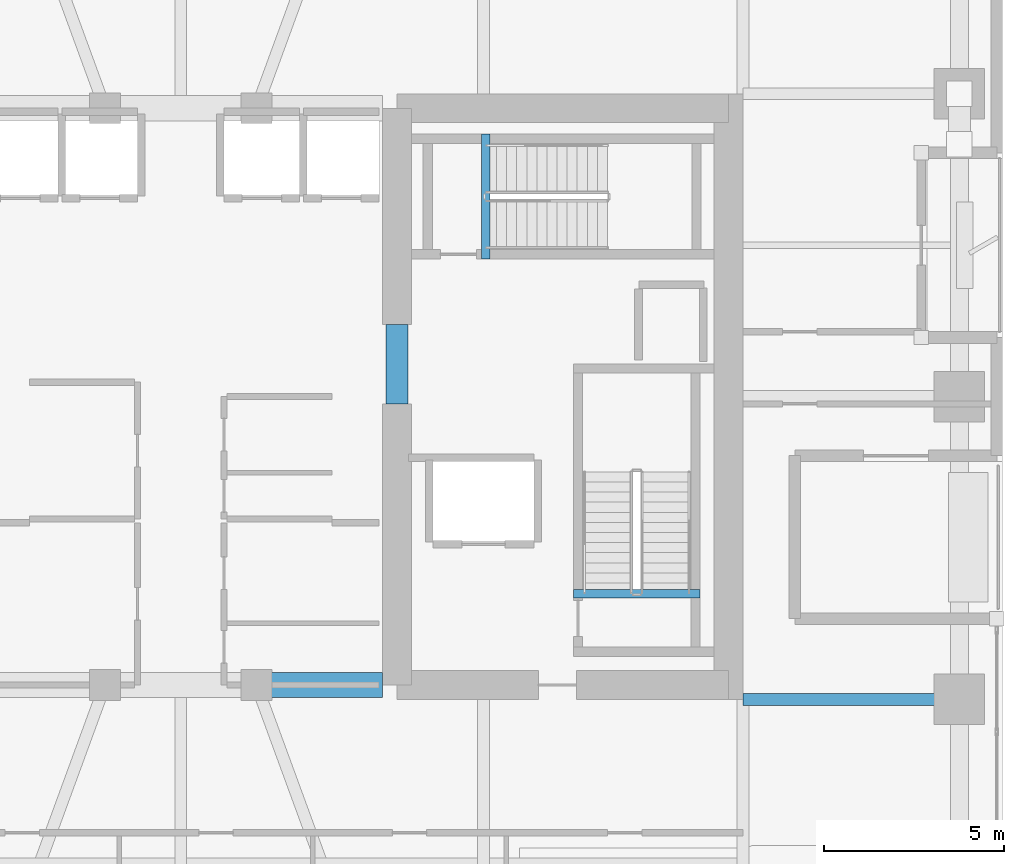
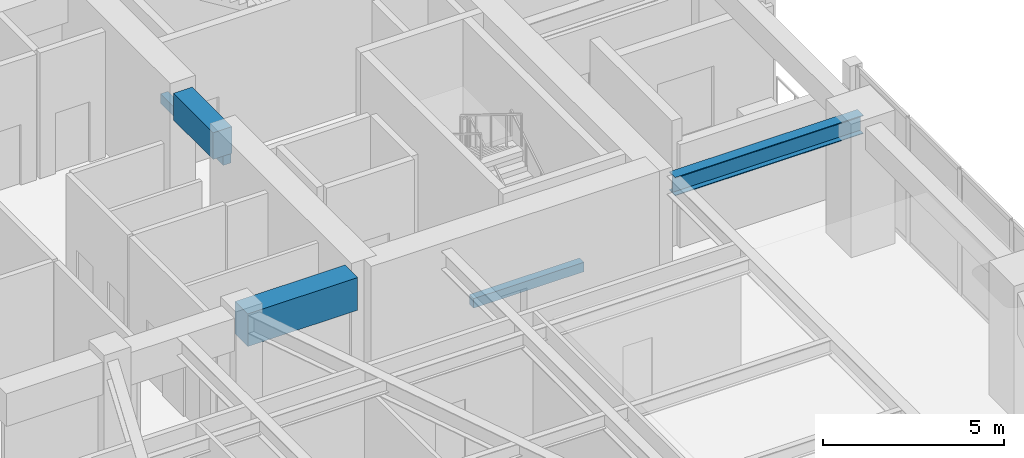
# One storey, part 5 of 20: 5 beams.
"""IFC4 building model written with IfcOpenShell, lengths in metres."""

from ifc_helpers import new_model, si_unit, direction, frame, origin, origin_2d, place, context, subcontext, project, spatial, rectangle, i_section, extrude, material, material_profile, profile_set, type_object, element, save


model = new_model("IFC4")

# Units and contexts
model_context = context("Model", 3, precision=1e-05, world=origin(), true_north=direction((0.0, 1.0)))
body_context = subcontext(model_context, "Body", "Model", "MODEL_VIEW")
ifc_project = project(units=[si_unit("LENGTHUNIT", "METRE"), si_unit("AREAUNIT", "SQUARE_METRE"), si_unit("VOLUMEUNIT", "CUBIC_METRE"), si_unit("PLANEANGLEUNIT", "RADIAN"), si_unit("MASSUNIT", "GRAM", prefix="KILO")], contexts=[model_context])

# Site, building, storey
site_placement = place(None, origin())
site = spatial("IfcSite", under=ifc_project, at=site_placement, CompositionType="ELEMENT")
building_placement = place(site_placement, origin())
building = spatial("IfcBuilding", under=site, at=building_placement, Name="Kiyonajd Concourse Tower", CompositionType="ELEMENT")
storey_placement = place(building_placement, frame((0.0, 0.0, 125.39990234375)))
storey = spatial("IfcBuildingStorey", under=building, at=storey_placement, Name="L32", CompositionType="ELEMENT", Elevation=125.39990234375)

# Beams
ifc_material_1 = material(Name="Concrete C70/85", Category="concrete")
ifc_material_profile_1 = material_profile(ifc_material_1, rectangle(XDim=0.699951171875, YDim=1.10009765625, at=origin_2d()), Name="RCBM-700x1100")
ifc_profile_set_1 = profile_set([ifc_material_profile_1], Name="Concrete C70/85")
beam_type_1 = type_object("IfcBeamType", Name="BM-COUP-1100", PredefinedType="LINTEL", material=ifc_profile_set_1)
beam_1_placement = place(storey_placement, frame((50.10009765625, 28.0, 3.690185546875), z_axis=(1.0, 0.0, 0.0), x_axis=(0.0, 1.0, 0.0)))
element("IfcBeam", 1, at=beam_1_placement, inside=storey, type_object=beam_type_1, Name="L32 Core Coupling Beam S3", PredefinedType="LINTEL", context=body_context, shape_type="SweptSolid", body=[
    extrude(rectangle(XDim=0.699951171875, YDim=1.10009765625, at=origin_2d()), origin(), (0.0, 0.0, 1.0), 3.5),
])
ifc_material_2 = material(Name="Concrete C60/75", Category="concrete")
ifc_material_profile_2 = material_profile(ifc_material_2, rectangle(XDim=0.60009765625, YDim=0.89990234375, at=origin_2d()), Name="RCBM-600x900")
ifc_profile_set_2 = profile_set([ifc_material_profile_2], Name="Concrete C60/75")
beam_type_2 = type_object("IfcBeamType", Name="BM-COUP-900", PredefinedType="LINTEL", material=ifc_profile_set_2)
beam_2_placement = place(storey_placement, frame((54.0, 35.800048828125, 3.690185546875), z_axis=(0.0, 1.0, 0.0), x_axis=(-1.0, 0.0, 0.0)))
element("IfcBeam", 2, at=beam_2_placement, inside=storey, type_object=beam_type_2, Name="L32 East Core Throat Coupling Lintel", PredefinedType="LINTEL", context=body_context, shape_type="SweptSolid", body=[
    extrude(rectangle(XDim=0.60009765625, YDim=0.89990234375, at=origin_2d()), origin(), (0.0, 0.0, 1.0), 2.199951171875),
])
ifc_material_3 = material(Name="Concrete C50/60", Category="concrete")
ifc_material_profile_3 = material_profile(ifc_material_3, rectangle(XDim=0.239990234375, YDim=0.320068359375, at=origin_2d()), Name="RCBM-240x320")
ifc_profile_set_3 = profile_set([ifc_material_profile_3], Name="Concrete C50/60")
beam_type_3 = type_object("IfcBeamType", Name="BM-LNT-250", PredefinedType="LINTEL", material=ifc_profile_set_3)
beam_3_placement = place(storey_placement, frame((58.889892578125, 30.530029296875, -0.159912109375), z_axis=(1.0, 0.0, 0.0), x_axis=(0.0, 1.0, 0.0)))
element("IfcBeam", 3, at=beam_3_placement, inside=storey, type_object=beam_type_3, Name="L32 Stair ST2 Threshold Support Beam", PredefinedType="LINTEL", context=body_context, shape_type="SweptSolid", body=[
    extrude(rectangle(XDim=0.239990234375, YDim=0.320068359375, at=origin_2d()), origin(), (0.0, 0.0, 1.0), 3.52001953125),
])
beam_4_placement = place(storey_placement, frame((56.4599609375, 39.820068359375, -0.159912109375), z_axis=(0.0, 1.0, 0.0), x_axis=(-1.0, 0.0, 0.0)))
element("IfcBeam", 4, at=beam_4_placement, inside=storey, type_object=beam_type_3, Name="L32 Stair ST3 Threshold Support Beam", PredefinedType="LINTEL", context=body_context, shape_type="SweptSolid", body=[
    extrude(rectangle(XDim=0.239990234375, YDim=0.320068359375, at=origin_2d()), origin(), (0.0, 0.0, 1.0), 3.4599609375),
])
ifc_material_4 = material(Name="Steel ASTM A992 Grade 50", Category="steel")
ifc_material_profile_4 = material_profile(ifc_material_4, i_section(OverallWidth=0.326904296875, OverallDepth=0.6220703125, WebThickness=0.015380859375, FlangeThickness=0.0244140625, at=origin_2d()), Name="W610X195")
ifc_profile_set_4 = profile_set([ifc_material_profile_4], Name="Steel ASTM A992 Grade 50")
beam_type_4 = type_object("IfcBeamType", Name="BM-TWR-610A", PredefinedType="BEAM", material=ifc_profile_set_4)
beam_5_placement = place(storey_placement, frame((63.60009765625, 27.60009765625, 3.92919921875), z_axis=(1.0, 0.0, 0.0), x_axis=(0.0, 1.0, 0.0)))
element("IfcBeam", 5, at=beam_5_placement, inside=storey, type_object=beam_type_4, Name="L32 East Lease Girder", PredefinedType="BEAM", context=body_context, shape_type="SweptSolid", body=[
    extrude(i_section(OverallWidth=0.326904296875, OverallDepth=0.6220703125, WebThickness=0.015380859375, FlangeThickness=0.0244140625, at=origin_2d()), origin(), (0.0, 0.0, 1.0), 6.0),
])

save(model, "model.ifc")
